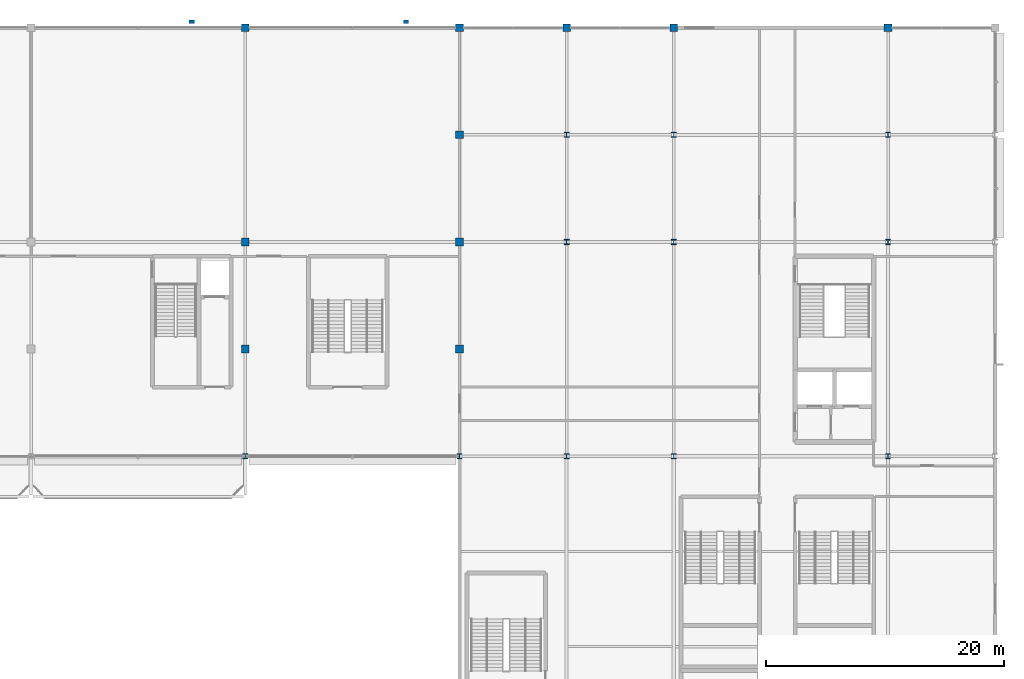
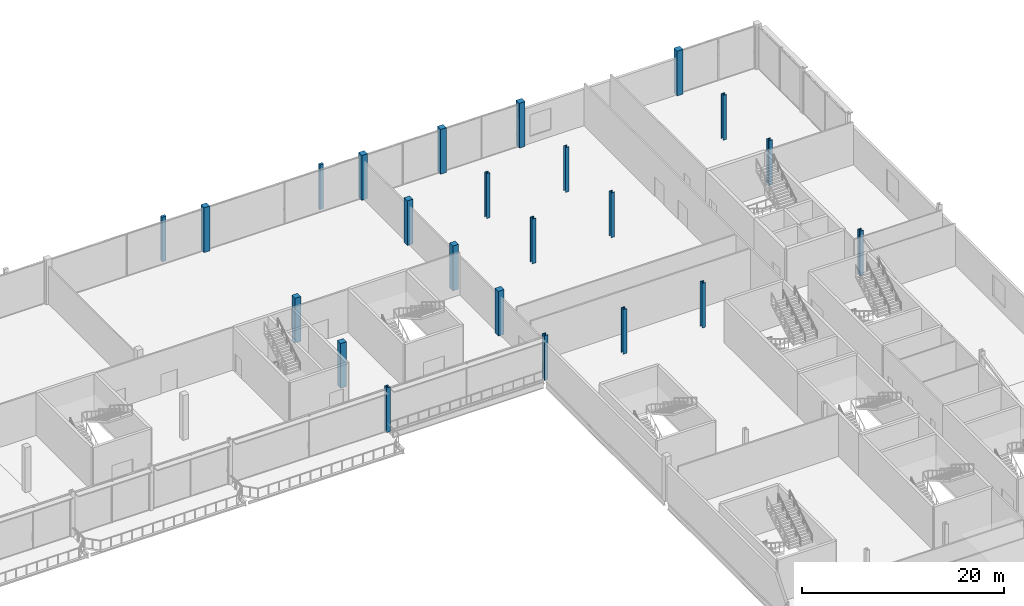
# One storey, part 9 of 113: 23 columns.
"""IFC4 building model written with IfcOpenShell, lengths in metres."""

from ifc_helpers import new_model, si_unit, direction, frame, origin, origin_2d, place, context, subcontext, project, spatial, rectangle, i_section, extrude, material, material_profile, profile_set, type_object, element, save


model = new_model("IFC4")

# Units and contexts
model_context = context("Model", 3, precision=1e-05, world=origin(), true_north=direction((0.0, 1.0)))
body_context = subcontext(model_context, "Body", "Model", "MODEL_VIEW")
ifc_project = project(units=[si_unit("LENGTHUNIT", "METRE"), si_unit("AREAUNIT", "SQUARE_METRE"), si_unit("VOLUMEUNIT", "CUBIC_METRE"), si_unit("PLANEANGLEUNIT", "RADIAN"), si_unit("MASSUNIT", "GRAM", prefix="KILO")], contexts=[model_context])

# Site, building, storey
site_placement = place(None, origin())
site = spatial("IfcSite", under=ifc_project, at=site_placement, CompositionType="ELEMENT")
building_placement = place(site_placement, origin())
building = spatial("IfcBuilding", under=site, at=building_placement, Name="Kisiwana Market Hall", CompositionType="ELEMENT")
storey_placement = place(building_placement, frame((0.0, 0.0, 6.0)))
storey = spatial("IfcBuildingStorey", under=building, at=storey_placement, Name="L01", CompositionType="ELEMENT", Elevation=6.0)

# Columns
ifc_material_1 = material(Name="Concrete C40/50", Category="concrete")
ifc_material_profile_1 = material_profile(ifc_material_1, rectangle(XDim=0.64990234375, YDim=0.64990234375, at=origin_2d()), Name="RC 650x650")
ifc_profile_set_1 = profile_set([ifc_material_profile_1], Name="Concrete C40/50")
column_type_1 = type_object("IfcColumnType", Name="COL-RC-POD-650", PredefinedType="COLUMN", material=ifc_profile_set_1)
for number, where, z_axis, x_axis, name in (
    (1, (135.0, 93.0, 0.0), (0.0, 0.0, 1.0), (1.0, 0.0, 0.0), "Column M/16 (L01) C-0446"),
    (2, (135.0, 102.0, 0.0), (0.0, 0.0, 1.0), (1.0, 0.0, 0.0), "Column N/16 (L01) C-0447"),
    (3, (135.0, 120.0, 0.0), (0.0, 0.0, 1.0), (1.0, 0.0, 0.0), "Column Q/16 (L01) C-0448"),
    (4, (153.0, 93.0, 0.0), (0.0, 0.0, 1.0), (1.0, 0.0, 0.0), "Column M/18 (L01) C-0456"),
    (5, (153.0, 102.0, 0.0), (0.0, 0.0, 1.0), (1.0, 0.0, 0.0), "Column N/18 (L01) C-0457"),
    (6, (153.0, 111.0, 0.0), (0.0, 0.0, 1.0), (1.0, 0.0, 0.0), "Column P/18 (L01) C-0458"),
    (7, (153.0, 120.0, 0.0), (0.0, 0.0, 1.0), (1.0, 0.0, 0.0), "Column Q/18 (L01) C-0459"),
    (8, (162.0, 120.0, 0.0), (0.0, 0.0, 1.0), (1.0, 0.0, 0.0), "Column Q/19 (L01) C-0467"),
    (9, (171.0, 120.0, 0.0), (0.0, 0.0, 1.0), (1.0, 0.0, 0.0), "Column Q/20 (L01) C-0476"),
    (10, (189.0, 120.0, 0.0), (0.0, 0.0, 1.0), (1.0, 0.0, 0.0), "Column Q/22 (L01) C-0484"),
):
    element("IfcColumn", number, at=place(storey_placement, frame(where, z_axis=z_axis, x_axis=x_axis)), inside=storey, type_object=column_type_1, Name=name, PredefinedType="COLUMN", context=body_context, shape_type="SweptSolid", body=[
        extrude(rectangle(XDim=0.64990234375, YDim=0.64990234375, at=origin_2d()), origin(), (0.0, 0.0, 1.0), 5.39990234375),
    ])
ifc_material_2 = material(Name="Steel S355", Category="steel")
ifc_material_profile_2 = material_profile(ifc_material_2, i_section(OverallWidth=0.412109375, OverallDepth=0.43505859375, WebThickness=0.035888671875, FlangeThickness=0.05810546875, at=origin_2d()), Name="HD 400x463")
ifc_profile_set_2 = profile_set([ifc_material_profile_2], Name="Steel S355")
column_type_2 = type_object("IfcColumnType", Name="COL-STL-HD463", PredefinedType="COLUMN", material=ifc_profile_set_2)
for number, where, z_axis, x_axis, name in (
    (11, (135.0, 84.0, 0.0), (0.0, 0.0, 1.0), (1.0, 0.0, 0.0), "Column L/16 (L01) C-0445"),
    (12, (153.0, 84.0, 0.0), (0.0, 0.0, 1.0), (1.0, 0.0, 0.0), "Column L/18 (L01) C-0455"),
    (13, (162.0, 84.0, 0.0), (0.0, 0.0, 1.0), (1.0, 0.0, 0.0), "Column L/19 (L01) C-0464"),
    (14, (162.0, 102.0, 0.0), (0.0, 0.0, 1.0), (1.0, 0.0, 0.0), "Column N/19 (L01) C-0465"),
    (15, (171.0, 84.0, 0.0), (0.0, 0.0, 1.0), (1.0, 0.0, 0.0), "Column L/20 (L01) C-0473"),
    (16, (171.0, 102.0, 0.0), (0.0, 0.0, 1.0), (1.0, 0.0, 0.0), "Column N/20 (L01) C-0474"),
    (17, (189.0, 84.0, 0.0), (0.0, 0.0, 1.0), (1.0, 0.0, 0.0), "Column L/22 (L01) C-0481"),
    (18, (189.0, 102.0, 0.0), (0.0, 0.0, 1.0), (1.0, 0.0, 0.0), "Column N/22 (L01) C-0482"),
):
    element("IfcColumn", number, at=place(storey_placement, frame(where, z_axis=z_axis, x_axis=x_axis)), inside=storey, type_object=column_type_2, Name=name, PredefinedType="COLUMN", context=body_context, shape_type="SweptSolid", body=[
        extrude(i_section(OverallWidth=0.412109375, OverallDepth=0.43505859375, WebThickness=0.035888671875, FlangeThickness=0.05810546875, at=origin_2d()), origin(), (0.0, 0.0, 1.0), 5.39990234375),
    ])
ifc_material_3 = material(Name="Steel S355", Category="steel")
ifc_material_profile_3 = material_profile(ifc_material_3, i_section(OverallWidth=0.403076171875, OverallDepth=0.406494140625, WebThickness=0.026611328125, FlangeThickness=0.04296875, at=origin_2d()), Name="UC 356x406x340")
ifc_profile_set_3 = profile_set([ifc_material_profile_3], Name="Steel S355")
column_type_3 = type_object("IfcColumnType", Name="COL-STL-UC340", PredefinedType="COLUMN", material=ifc_profile_set_3)
for number, where, z_axis, x_axis, name in (
    (19, (162.0, 111.0, 0.0), (0.0, 0.0, 1.0), (1.0, 0.0, 0.0), "Column P/19 (L01) C-0466"),
    (20, (171.0, 111.0, 0.0), (0.0, 0.0, 1.0), (1.0, 0.0, 0.0), "Column P/20 (L01) C-0475"),
    (21, (189.0, 111.0, 0.0), (0.0, 0.0, 1.0), (1.0, 0.0, 0.0), "Column P/22 (L01) C-0483"),
):
    element("IfcColumn", number, at=place(storey_placement, frame(where, z_axis=z_axis, x_axis=x_axis)), inside=storey, type_object=column_type_3, Name=name, PredefinedType="COLUMN", context=body_context, shape_type="SweptSolid", body=[
        extrude(i_section(OverallWidth=0.403076171875, OverallDepth=0.406494140625, WebThickness=0.026611328125, FlangeThickness=0.04296875, at=origin_2d()), origin(), (0.0, 0.0, 1.0), 5.39990234375),
    ])
ifc_material_4 = material(Name="Concrete C40/50", Category="concrete")
ifc_material_profile_4 = material_profile(ifc_material_4, rectangle(XDim=0.449951171875, YDim=0.300048828125, at=origin_2d()), Name="PIL 450x300")
ifc_profile_set_4 = profile_set([ifc_material_profile_4], Name="Concrete C40/50")
column_type_4 = type_object("IfcColumnType", Name="PIL-CONC-450", PredefinedType="PILASTER", material=ifc_profile_set_4)
for number, where, z_axis, x_axis, name in (
    (22, (130.5, 120.5, 0.0), (0.0, 0.0, 1.0), (1.0, 0.0, 0.0), "Facade pilaster Q/15 (L01) C-0504"),
    (23, (148.5, 120.5, 0.0), (0.0, 0.0, 1.0), (1.0, 0.0, 0.0), "Facade pilaster Q/17 (L01) C-0505"),
):
    element("IfcColumn", number, at=place(storey_placement, frame(where, z_axis=z_axis, x_axis=x_axis)), inside=storey, type_object=column_type_4, Name=name, PredefinedType="PILASTER", context=body_context, shape_type="SweptSolid", body=[
        extrude(rectangle(XDim=0.449951171875, YDim=0.300048828125, at=origin_2d()), origin(), (0.0, 0.0, 1.0), 5.39990234375),
    ])

save(model, "model.ifc")
